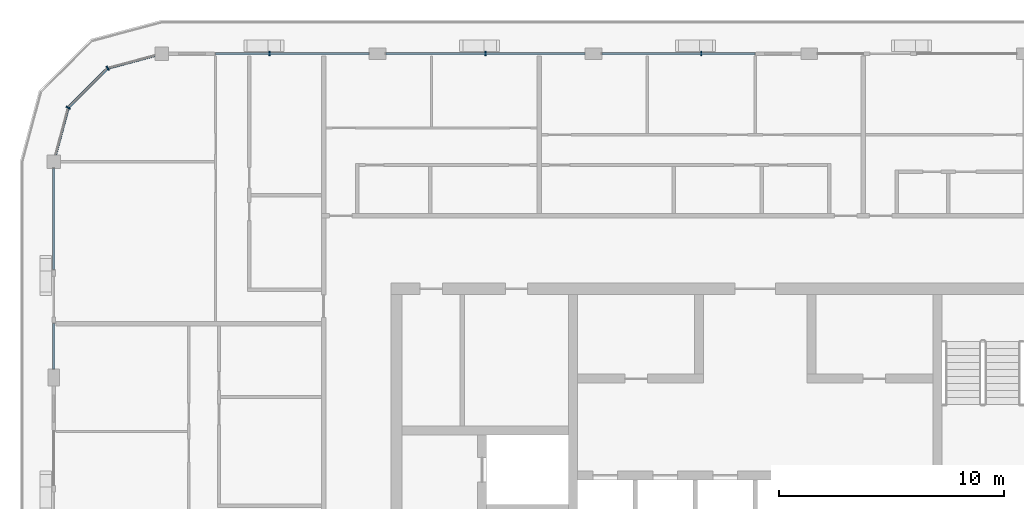
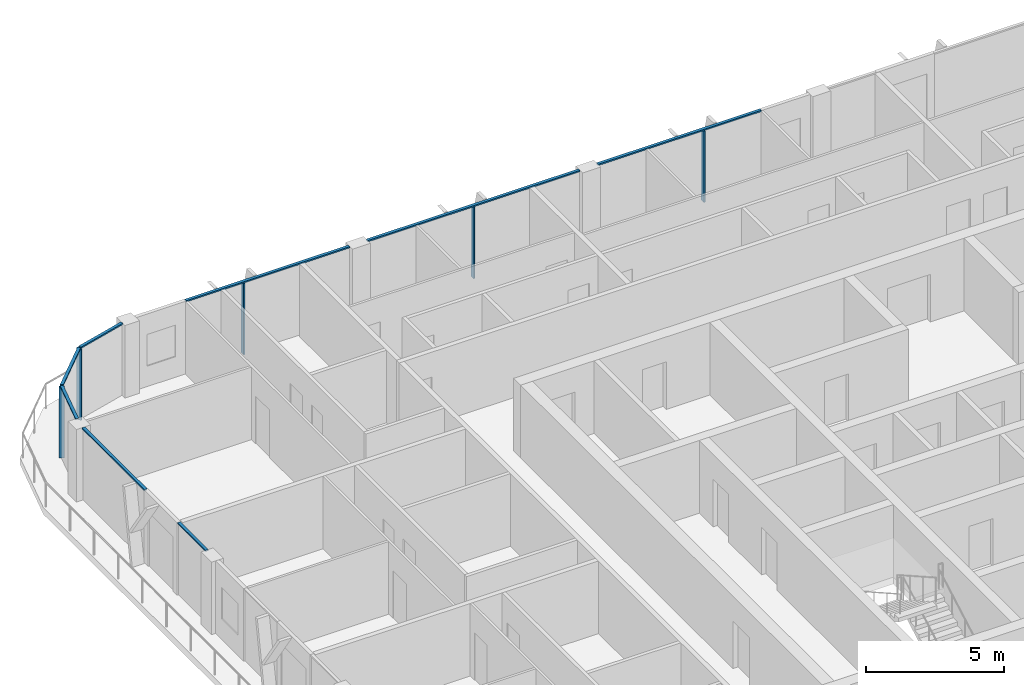
# One storey, part 5 of 21: 13 members, 5 elements without a shape of their own.
"""IFC4 building model written with IfcOpenShell, lengths in metres."""

from ifc_helpers import new_model, si_unit, direction, frame, origin, origin_2d, place, context, subcontext, project, spatial, rectangle, extrude, material, layer, layer_set, material_profile, profile_set, type_object, element, aggregate, save


model = new_model("IFC4")

# Units and contexts
model_context = context("Model", 3, precision=1e-05, world=origin(), true_north=direction((0.0, 1.0)))
body_context = subcontext(model_context, "Body", "Model", "MODEL_VIEW")
ifc_project = project(units=[si_unit("LENGTHUNIT", "METRE"), si_unit("AREAUNIT", "SQUARE_METRE"), si_unit("VOLUMEUNIT", "CUBIC_METRE"), si_unit("PLANEANGLEUNIT", "RADIAN"), si_unit("MASSUNIT", "GRAM", prefix="KILO")], contexts=[model_context])

# Site, building, storey
site_placement = place(None, origin())
site = spatial("IfcSite", under=ifc_project, at=site_placement, CompositionType="ELEMENT")
building_placement = place(site_placement, origin())
building = spatial("IfcBuilding", under=site, at=building_placement, Name="Madar Terraces", CompositionType="ELEMENT")
storey_placement = place(building_placement, frame((0.0, 0.0, 275.60009765625)))
storey = spatial("IfcBuildingStorey", under=building, at=storey_placement, Name="L72", CompositionType="ELEMENT", Elevation=275.60009765625)

# Curtain wall, member
ifc_material_1 = material(Name="Glass, ceramic frit dark grey, with black aluminium frame", Category="aluminium")
ifc_layer = layer(ifc_material_1, 0.199951171875)
ifc_layer_set = layer_set([ifc_layer], Name="Facade curtain wall, fritted glass")
curtain_wall_type = type_object("IfcCurtainWallType", Name="Facade curtain wall, fritted glass", PredefinedType="NOTDEFINED", material=ifc_layer_set)
curtain_wall_1_placement = place(storey_placement, origin())
curtain_wall_1 = element("IfcCurtainWall", 1, at=curtain_wall_1_placement, inside=storey, type_object=curtain_wall_type, Name="Outer skin curtain wall north bay 3", PredefinedType="NOTDEFINED")
ifc_material_2 = material(Name="Aluminium, black anodised", Category="aluminium")
ifc_material_profile_1 = material_profile(ifc_material_2, rectangle(XDim=0.199951171875, YDim=0.06005859375, at=origin_2d()), Name="Facade mullion 60x200")
ifc_profile_set_1 = profile_set([ifc_material_profile_1], Name="Aluminium, black anodised")
member_type_1 = type_object("IfcMemberType", Name="Facade mullion 60x200", PredefinedType="MULLION", material=ifc_profile_set_1)
member_1_placement = place(storey_placement, frame((28.800048828125, 48.0, 0.0), z_axis=(0.0, 0.0, 1.0), x_axis=(0.0, -1.0, 0.0)))
member_1 = element("IfcMember", 2, at=member_1_placement, type_object=member_type_1, Name="Mullion 1", PredefinedType="MULLION", context=body_context, shape_type="SweptSolid", body=[
    extrude(rectangle(XDim=0.199951171875, YDim=0.06005859375, at=origin_2d()), origin(), (0.0, 0.0, 1.0), 3.139892578125),
])

curtain_wall_2_placement = place(storey_placement, origin())
curtain_wall_2 = element("IfcCurtainWall", 3, at=curtain_wall_2_placement, inside=storey, type_object=curtain_wall_type, Name="Outer skin curtain wall north bay 4", PredefinedType="NOTDEFINED")
member_2_placement = place(storey_placement, frame((19.199951171875, 48.0, 0.0), z_axis=(0.0, 0.0, 1.0), x_axis=(0.0, -1.0, 0.0)))
member_2 = element("IfcMember", 4, at=member_2_placement, type_object=member_type_1, Name="Mullion 1", PredefinedType="MULLION", context=body_context, shape_type="SweptSolid", body=[
    extrude(rectangle(XDim=0.199951171875, YDim=0.06005859375, at=origin_2d()), origin(), (0.0, 0.0, 1.0), 3.139892578125),
])

curtain_wall_3_placement = place(storey_placement, origin())
curtain_wall_3 = element("IfcCurtainWall", 5, at=curtain_wall_3_placement, inside=storey, type_object=curtain_wall_type, Name="Outer skin curtain wall north bay 5", PredefinedType="NOTDEFINED")
member_3_placement = place(storey_placement, frame((9.60009765625, 48.0, 0.0), z_axis=(0.0, 0.0, 1.0), x_axis=(0.0, -1.0, 0.0)))
member_3 = element("IfcMember", 6, at=member_3_placement, type_object=member_type_1, Name="Mullion 1", PredefinedType="MULLION", context=body_context, shape_type="SweptSolid", body=[
    extrude(rectangle(XDim=0.199951171875, YDim=0.06005859375, at=origin_2d()), origin(), (0.0, 0.0, 1.0), 3.139892578125),
])

# Curtain wall, members
curtain_wall_4_placement = place(storey_placement, origin())
curtain_wall_4 = element("IfcCurtainWall", 7, at=curtain_wall_4_placement, inside=storey, type_object=curtain_wall_type, Name="Outer skin curtain wall north-west corner", PredefinedType="NOTDEFINED")
member_4_placement = place(storey_placement, frame((2.39990234375, 47.35693359375, 0.0), z_axis=(0.0, 0.0, 1.0), x_axis=(0.499999989586, -0.866025409797, 0.0)))
member_4 = element("IfcMember", 8, at=member_4_placement, type_object=member_type_1, Name="Mullion 1", PredefinedType="MULLION", context=body_context, shape_type="SweptSolid", body=[
    extrude(rectangle(XDim=0.199951171875, YDim=0.06005859375, at=origin_2d()), origin(), (0.0, 0.0, 1.0), 3.139892578125),
])
member_5_placement = place(storey_placement, frame((0.64306640625, 45.60009765625, 0.0), z_axis=(0.0, 0.0, 1.0), x_axis=(0.866025409797, -0.499999989586, 0.0)))
member_5 = element("IfcMember", 9, at=member_5_placement, type_object=member_type_1, Name="Mullion 2", PredefinedType="MULLION", context=body_context, shape_type="SweptSolid", body=[
    extrude(rectangle(XDim=0.199951171875, YDim=0.06005859375, at=origin_2d()), origin(), (0.0, 0.0, 1.0), 3.139892578125),
])

# Member
ifc_material_3 = material(Name="Aluminium, black anodised", Category="aluminium")
ifc_material_profile_2 = material_profile(ifc_material_3, rectangle(XDim=0.1201171875, YDim=0.06005859375, at=origin_2d()), Name="Facade transom 60x120")
ifc_profile_set_2 = profile_set([ifc_material_profile_2], Name="Aluminium, black anodised")
member_type_2 = type_object("IfcMemberType", Name="Facade transom 60x120", PredefinedType="USERDEFINED", material=ifc_profile_set_2)
member_6_placement = place(storey_placement, frame((31.199951171875, 48.0, 3.169921875), z_axis=(-1.0, 0.0, 0.0), x_axis=(0.0, -1.0, 0.0)))
member_6 = element("IfcMember", 10, at=member_6_placement, type_object=member_type_2, Name="Transom 1", ObjectType="TRANSOM", PredefinedType="USERDEFINED", context=body_context, shape_type="SweptSolid", body=[
    extrude(rectangle(XDim=0.1201171875, YDim=0.06005859375, at=origin_2d()), origin(), (0.0, 0.0, 1.0), 6.824951171875),
])

aggregate(curtain_wall_1, [member_1, member_6])

member_7_placement = place(storey_placement, frame((23.625, 48.0, 3.169921875), z_axis=(-1.0, 0.0, 0.0), x_axis=(0.0, -1.0, 0.0)))
member_7 = element("IfcMember", 11, at=member_7_placement, type_object=member_type_2, Name="Transom 1", ObjectType="TRANSOM", PredefinedType="USERDEFINED", context=body_context, shape_type="SweptSolid", body=[
    extrude(rectangle(XDim=0.1201171875, YDim=0.06005859375, at=origin_2d()), origin(), (0.0, 0.0, 1.0), 8.85009765625),
])

aggregate(curtain_wall_2, [member_2, member_7])

member_8_placement = place(storey_placement, frame((14.02490234375, 48.0, 3.169921875), z_axis=(-1.0, 0.0, 0.0), x_axis=(0.0, -1.0, 0.0)))
member_8 = element("IfcMember", 12, at=member_8_placement, type_object=member_type_2, Name="Transom 1", ObjectType="TRANSOM", PredefinedType="USERDEFINED", context=body_context, shape_type="SweptSolid", body=[
    extrude(rectangle(XDim=0.1201171875, YDim=0.06005859375, at=origin_2d()), origin(), (0.0, 0.0, 1.0), 6.824951171875),
])

aggregate(curtain_wall_3, [member_3, member_8])

# Curtain wall, members
curtain_wall_5_placement = place(storey_placement, origin())
curtain_wall_5 = element("IfcCurtainWall", 13, at=curtain_wall_5_placement, inside=storey, type_object=curtain_wall_type, Name="Outer skin curtain wall west bay 1", PredefinedType="NOTDEFINED")
member_9_placement = place(storey_placement, frame((0.0, 42.89990234375, 3.169921875), z_axis=(0.0, -1.0, 0.0), x_axis=(1.0, 0.0, 0.0)))
member_9 = element("IfcMember", 14, at=member_9_placement, type_object=member_type_2, Name="Transom 1", ObjectType="TRANSOM", PredefinedType="USERDEFINED", context=body_context, shape_type="SweptSolid", body=[
    extrude(rectangle(XDim=0.1201171875, YDim=0.06005859375, at=origin_2d()), origin(), (0.0, 0.0, 1.0), 4.5),
])
member_10_placement = place(storey_placement, frame((0.0, 36.0, 3.169921875), z_axis=(0.0, -1.0, 0.0), x_axis=(1.0, 0.0, 0.0)))
member_10 = element("IfcMember", 15, at=member_10_placement, type_object=member_type_2, Name="Transom 2", ObjectType="TRANSOM", PredefinedType="USERDEFINED", context=body_context, shape_type="SweptSolid", body=[
    extrude(rectangle(XDim=0.1201171875, YDim=0.06005859375, at=origin_2d()), origin(), (0.0, 0.0, 1.0), 2.02490234375),
])
aggregate(curtain_wall_5, [member_9, member_10])

# Member
member_11_placement = place(storey_placement, frame((4.5, 47.919677734375, 3.169921875), z_axis=(-0.965926196336, -0.258817664066, 0.0), x_axis=(0.258817664066, -0.965926196336, 0.0)))
member_11 = element("IfcMember", 16, at=member_11_placement, type_object=member_type_2, Name="Transom 1", ObjectType="TRANSOM", PredefinedType="USERDEFINED", context=body_context, shape_type="SweptSolid", body=[
    extrude(rectangle(XDim=0.1201171875, YDim=0.06005859375, at=origin_2d()), origin(), (0.0, 0.0, 1.0), 2.14404296875),
])

member_12_placement = place(storey_placement, frame((2.37890625, 47.335693359375, 3.169921875), z_axis=(-0.707106781187, -0.707106781187, 0.0), x_axis=(0.707106781187, -0.707106781187, 0.0)))
member_12 = element("IfcMember", 17, at=member_12_placement, type_object=member_type_2, Name="Transom 2", ObjectType="TRANSOM", PredefinedType="USERDEFINED", context=body_context, shape_type="SweptSolid", body=[
    extrude(rectangle(XDim=0.1201171875, YDim=0.06005859375, at=origin_2d()), origin(), (0.0, 0.0, 1.0), 2.4248046875),
])

member_13_placement = place(storey_placement, frame((0.63525390625, 45.571044921875, 3.169921875), z_axis=(-0.258817664066, -0.965926196336, 0.0), x_axis=(0.965926196336, -0.258817664066, 0.0)))
member_13 = element("IfcMember", 18, at=member_13_placement, type_object=member_type_2, Name="Transom 3", ObjectType="TRANSOM", PredefinedType="USERDEFINED", context=body_context, shape_type="SweptSolid", body=[
    extrude(rectangle(XDim=0.1201171875, YDim=0.06005859375, at=origin_2d()), origin(), (0.0, 0.0, 1.0), 2.14404296875),
])

aggregate(curtain_wall_4, [member_4, member_11, member_5, member_12, member_13])

save(model, "model.ifc")
